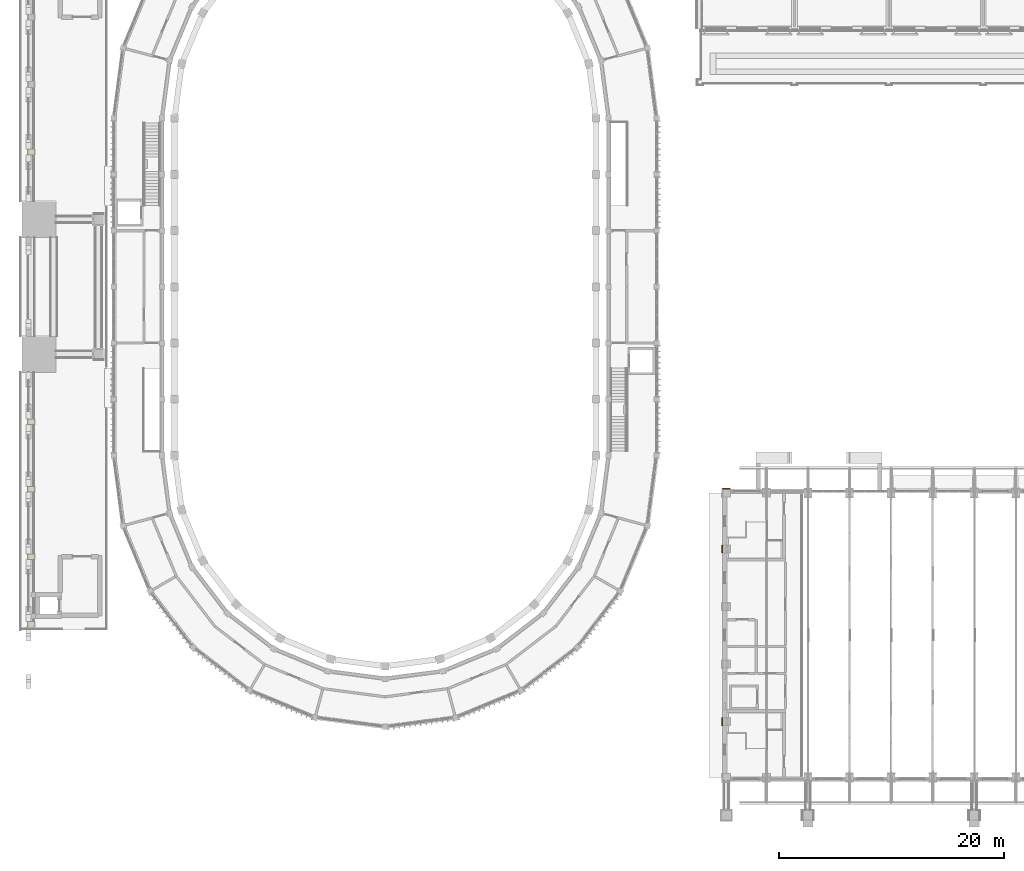
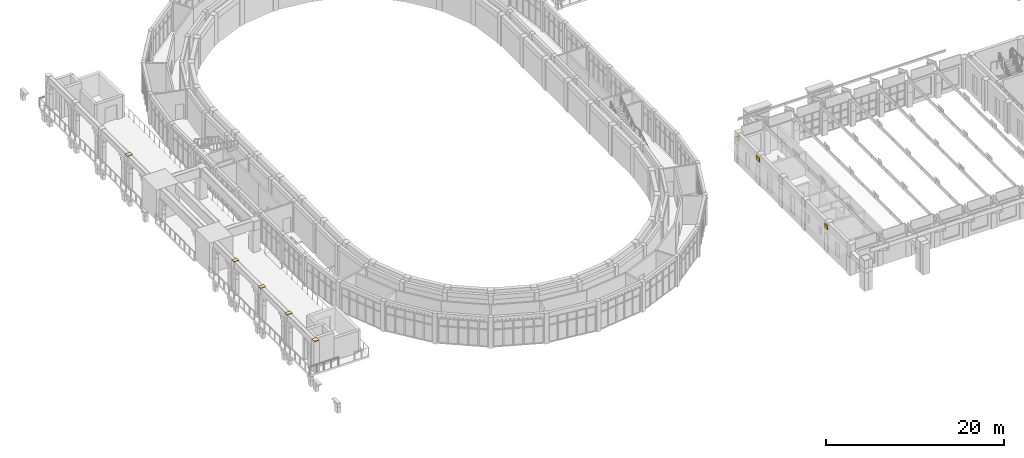
# One storey, part 96 of 99: 8 coverings.
"""IFC4 building model written with IfcOpenShell, lengths in metres."""

from ifc_helpers import new_model, si_unit, direction, frame, origin, place, context, subcontext, project, spatial, polyline, outline, extrude, material, layer, layer_set, type_object, element, save


model = new_model("IFC4")

# Units and contexts
model_context = context("Model", 3, precision=1e-05, world=origin(), true_north=direction((0.0, 1.0)))
body_context = subcontext(model_context, "Body", "Model", "MODEL_VIEW")
ifc_project = project(units=[si_unit("LENGTHUNIT", "METRE"), si_unit("AREAUNIT", "SQUARE_METRE"), si_unit("VOLUMEUNIT", "CUBIC_METRE"), si_unit("PLANEANGLEUNIT", "RADIAN"), si_unit("MASSUNIT", "GRAM", prefix="KILO")], contexts=[model_context])

# Site, building, storey
site_placement = place(None, origin())
site = spatial("IfcSite", under=ifc_project, at=site_placement, CompositionType="ELEMENT")
building_placement = place(site_placement, origin())
building = spatial("IfcBuilding", under=site, at=building_placement, Name="Wasatch Bagh Community Centre", CompositionType="ELEMENT")
storey_placement = place(building_placement, frame((0.0, 0.0, 4.199951171875)))
storey = spatial("IfcBuildingStorey", under=building, at=storey_placement, Name="L01", CompositionType="ELEMENT", Elevation=4.199951171875)

# Coverings
ifc_material = material(Name="Cast stone cladding", Category="masonry")
ifc_layer = layer(ifc_material, 0.080078125)
ifc_layer_set = layer_set([ifc_layer], Name="Cast stone cladding")
covering_type = type_object("IfcCoveringType", Name="CL-C1 column facing", PredefinedType="CLADDING", material=ifc_layer_set)
covering_1_placement = place(storey_placement, frame((0.0, 0.0, 4.199951171875)))
element("IfcCovering", 1, at=covering_1_placement, inside=storey, type_object=covering_type, Name="Column facing", PredefinedType="CLADDING", context=body_context, shape_type="SweptSolid", body=[
    extrude(outline(polyline([(4.75, 19.669921875), (4.25, 19.669921875), (4.25, 19.75), (4.169921875, 19.75), (4.169921875, 20.25), (4.830078125, 20.25), (4.830078125, 19.75), (4.75, 19.75), (4.75, 19.669921875)])), origin(), (0.0, 0.0, 1.0), 0.080078125),
])
covering_2_placement = place(storey_placement, frame((0.0, 0.0, 4.199951171875)))
element("IfcCovering", 2, at=covering_2_placement, inside=storey, type_object=covering_type, Name="Column facing", PredefinedType="CLADDING", context=body_context, shape_type="SweptSolid", body=[
    extrude(outline(polyline([(4.169921875, 25.75), (4.169921875, 26.25), (4.830078125, 26.25), (4.830078125, 25.75), (4.169921875, 25.75)])), origin(), (0.0, 0.0, 1.0), 0.080078125),
])
covering_3_placement = place(storey_placement, frame((0.0, 0.0, 4.199951171875)))
element("IfcCovering", 3, at=covering_3_placement, inside=storey, type_object=covering_type, Name="Column facing", PredefinedType="CLADDING", context=body_context, shape_type="SweptSolid", body=[
    extrude(outline(polyline([(4.169921875, 31.75), (4.169921875, 32.25), (4.830078125, 32.25), (4.830078125, 31.75), (4.169921875, 31.75)])), origin(), (0.0, 0.0, 1.0), 0.080078125),
])
covering_4_placement = place(storey_placement, frame((0.0, 0.0, 4.199951171875)))
element("IfcCovering", 4, at=covering_4_placement, inside=storey, type_object=covering_type, Name="Column facing", PredefinedType="CLADDING", context=body_context, shape_type="SweptSolid", body=[
    extrude(outline(polyline([(4.169921875, 37.75), (4.169921875, 38.25), (4.830078125, 38.25), (4.830078125, 37.75), (4.169921875, 37.75)])), origin(), (0.0, 0.0, 1.0), 0.080078125),
])
covering_5_placement = place(storey_placement, frame((0.0, 0.0, 4.199951171875)))
element("IfcCovering", 5, at=covering_5_placement, inside=storey, type_object=covering_type, Name="Column facing", PredefinedType="CLADDING", context=body_context, shape_type="SweptSolid", body=[
    extrude(outline(polyline([(4.169921875, 61.75), (4.169921875, 62.25), (4.830078125, 62.25), (4.830078125, 61.75), (4.169921875, 61.75)])), origin(), (0.0, 0.0, 1.0), 0.080078125),
])
covering_6_placement = place(storey_placement, frame((0.0, 0.0, 2.570556640625)))
element("IfcCovering", 6, at=covering_6_placement, inside=storey, type_object=covering_type, Name="Column facing", PredefinedType="CLADDING", context=body_context, shape_type="SweptSolid", body=[
    extrude(outline(polyline([(66.699951171875, 32.0), (66.0, 32.0), (66.0, 32.080078125), (66.699951171875, 32.080078125), (66.699951171875, 32.0)])), origin(), (0.0, 0.0, 1.0), 0.680908203125),
])
covering_7_placement = place(storey_placement, frame((0.0, 0.0, 3.25)))
element("IfcCovering", 7, at=covering_7_placement, inside=storey, type_object=covering_type, Name="Column facing", PredefinedType="CLADDING", context=body_context, shape_type="SweptSolid", body=[
    extrude(outline(polyline([(66.0, 11.669921875), (66.0, 10.969970703125), (65.919921875, 10.969970703125), (65.919921875, 11.669921875), (66.0, 11.669921875)])), origin(), (0.0, 0.0, 1.0), 0.58251953125),
])
covering_8_placement = place(storey_placement, frame((0.0, 0.0, 3.25)))
element("IfcCovering", 8, at=covering_8_placement, inside=storey, type_object=covering_type, Name="Column facing", PredefinedType="CLADDING", context=body_context, shape_type="SweptSolid", body=[
    extrude(outline(polyline([(66.0, 27.030029296875), (66.0, 26.330078125), (65.919921875, 26.330078125), (65.919921875, 27.030029296875), (66.0, 27.030029296875)])), origin(), (0.0, 0.0, 1.0), 0.58251953125),
])

save(model, "model.ifc")
